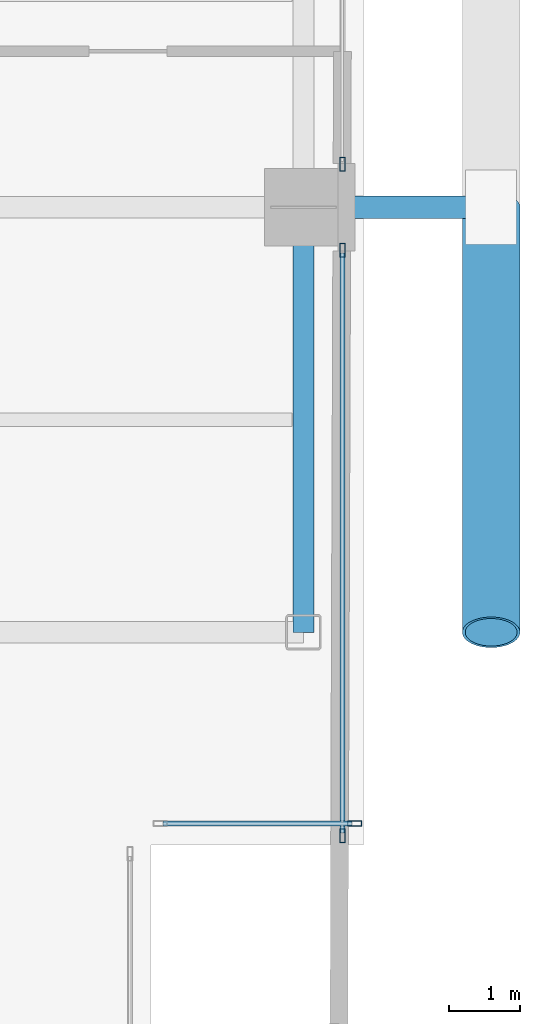
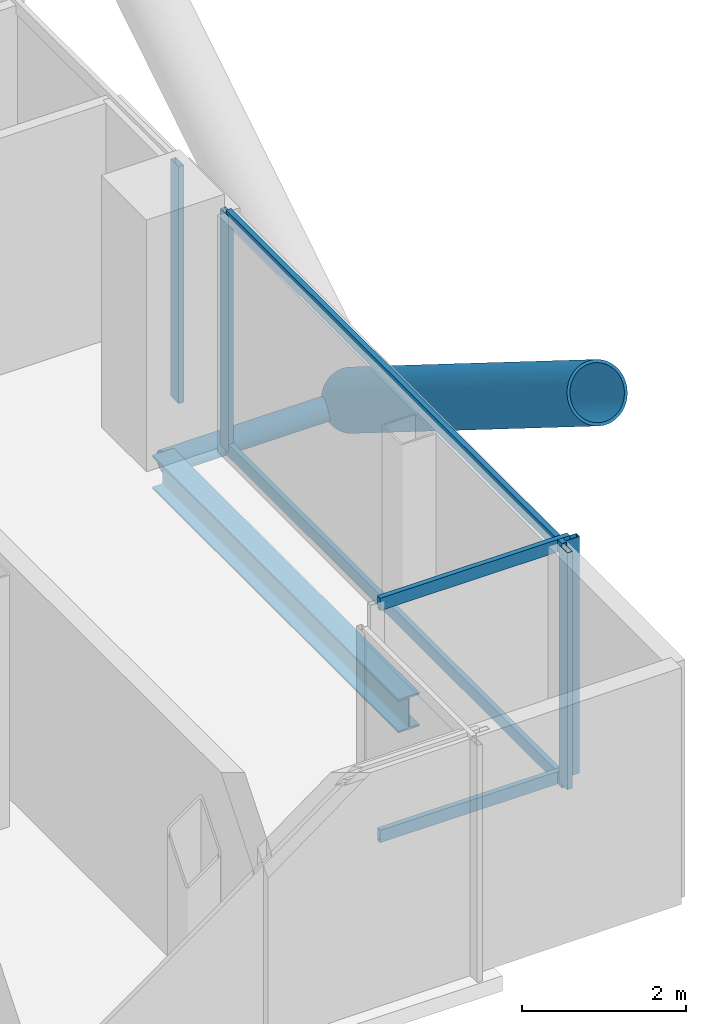
# One storey, part 11 of 24: 10 members, 1 beam, 3 elements without a shape of their own.
"""IFC4 building model written with IfcOpenShell, lengths in metres."""

from ifc_helpers import new_model, si_unit, direction, frame, origin, origin_2d, place, context, subcontext, project, spatial, hollow_rectangle, hollow_circle, i_section, extrude, material, layer, layer_set, material_profile, profile_set, type_object, element, aggregate, save


model = new_model("IFC4")

# Units and contexts
model_context = context("Model", 3, precision=1e-05, world=origin(), true_north=direction((0.0, 1.0)))
body_context = subcontext(model_context, "Body", "Model", "MODEL_VIEW")
ifc_project = project(units=[si_unit("LENGTHUNIT", "METRE"), si_unit("AREAUNIT", "SQUARE_METRE"), si_unit("VOLUMEUNIT", "CUBIC_METRE"), si_unit("PLANEANGLEUNIT", "RADIAN"), si_unit("MASSUNIT", "GRAM", prefix="KILO"), si_unit("THERMODYNAMICTEMPERATUREUNIT", "KELVIN"), si_unit("POWERUNIT", "WATT")], contexts=[model_context])

# Site, building, storey
site_placement = place(None, origin())
site = spatial("IfcSite", under=ifc_project, at=site_placement, CompositionType="ELEMENT")
building_placement = place(site_placement, origin())
building = spatial("IfcBuilding", under=site, at=building_placement, Name="Svarakhadi Broadcast Tower", CompositionType="ELEMENT")
storey_placement = place(building_placement, frame((0.0, 0.0, 130.64990234375)))
storey = spatial("IfcBuildingStorey", under=building, at=storey_placement, Name="L31", CompositionType="ELEMENT", Elevation=130.64990234375)

# Curtain wall, member
ifc_material_1 = material(Name="Anodised Bronze Aluminium AA 6063-T6", Category="aluminium")
ifc_layer = layer(ifc_material_1, 0.199951171875)
ifc_layer_set = layer_set([ifc_layer], Name="Anodised Bronze Aluminium AA 6063-T6")
curtain_wall_type = type_object("IfcCurtainWallType", Name="CW_Sys_03", PredefinedType="NOTDEFINED", material=ifc_layer_set)
curtain_wall_1_placement = place(storey_placement, origin())
curtain_wall_1 = element("IfcCurtainWall", 1, at=curtain_wall_1_placement, inside=storey, type_object=curtain_wall_type, Name="L31 Unitised Facade Curtain Wall 13 Bay 1", PredefinedType="NOTDEFINED")
ifc_material_profile_1 = material_profile(ifc_material_1, hollow_rectangle(XDim=0.074951171875, YDim=0.199951171875, WallThickness=0.005615234375, at=origin_2d()), Name="ALU MULLION 200x75x6")
ifc_profile_set_1 = profile_set([ifc_material_profile_1], Name="Anodised Bronze Aluminium AA 6063-T6")
member_type_1 = type_object("IfcMemberType", Name="CW_Sys_03_Mul", PredefinedType="MULLION", material=ifc_profile_set_1)
member_1_placement = place(storey_placement, frame((47.699951171875, 12.607421875, 0.0), z_axis=(0.0, 0.0, 1.0), x_axis=(1.0, 0.0, 0.0)))
member_1 = element("IfcMember", 2, at=member_1_placement, type_object=member_type_1, Name="CW-03 mullion 2", PredefinedType="MULLION", context=body_context, shape_type="SweptSolid", body=[
    extrude(hollow_rectangle(XDim=0.074951171875, YDim=0.199951171875, WallThickness=0.005615234375, at=origin_2d()), origin(), (0.0, 0.0, 1.0), 3.525146484375),
])
aggregate(curtain_wall_1, [member_1])

# Curtain wall, members
curtain_wall_2_placement = place(storey_placement, origin())
curtain_wall_2 = element("IfcCurtainWall", 3, at=curtain_wall_2_placement, inside=storey, type_object=curtain_wall_type, Name="L31 Unitised Facade Curtain Wall 13 Bay 2", PredefinedType="NOTDEFINED")
member_2_placement = place(storey_placement, frame((47.699951171875, 11.392578125, 0.0), z_axis=(0.0, 0.0, 1.0), x_axis=(1.0, 0.0, 0.0)))
member_2 = element("IfcMember", 4, at=member_2_placement, type_object=member_type_1, Name="CW-03 mullion 1", PredefinedType="MULLION", context=body_context, shape_type="SweptSolid", body=[
    extrude(hollow_rectangle(XDim=0.074951171875, YDim=0.199951171875, WallThickness=0.005615234375, at=origin_2d()), origin(), (0.0, 0.0, 1.0), 3.525146484375),
])
member_3_placement = place(storey_placement, frame((47.699951171875, 3.12744140625, 0.0), z_axis=(0.0, 0.0, 1.0), x_axis=(1.0, 0.0, 0.0)))
member_3 = element("IfcMember", 5, at=member_3_placement, type_object=member_type_1, Name="CW-03 mullion 2", PredefinedType="MULLION", context=body_context, shape_type="SweptSolid", body=[
    extrude(hollow_rectangle(XDim=0.074951171875, YDim=0.199951171875, WallThickness=0.005615234375, at=origin_2d()), origin(), (0.0, 0.0, 1.0), 3.525146484375),
])

# Curtain wall, member
curtain_wall_3_placement = place(storey_placement, origin())
curtain_wall_3 = element("IfcCurtainWall", 6, at=curtain_wall_3_placement, inside=storey, type_object=curtain_wall_type, Name="L31 Unitised Facade Curtain Wall 14", PredefinedType="NOTDEFINED")
member_4_placement = place(storey_placement, frame((47.87255859375, 3.300048828125, 0.0), z_axis=(0.0, 0.0, 1.0), x_axis=(0.0, -1.0, 0.0)))
member_4 = element("IfcMember", 7, at=member_4_placement, type_object=member_type_1, Name="CW-03 mullion 1", PredefinedType="MULLION", context=body_context, shape_type="SweptSolid", body=[
    extrude(hollow_rectangle(XDim=0.074951171875, YDim=0.199951171875, WallThickness=0.005615234375, at=origin_2d()), origin(), (0.0, 0.0, 1.0), 3.525146484375),
])

# Member
ifc_material_profile_2 = material_profile(ifc_material_1, hollow_rectangle(XDim=0.070068359375, YDim=0.18505859375, WallThickness=0.0048828125, at=origin_2d()), Name="ALU TRANSOM 185x70x5")
ifc_profile_set_2 = profile_set([ifc_material_profile_2], Name="Anodised Bronze Aluminium AA 6063-T6")
member_type_2 = type_object("IfcMemberType", Name="CW_Sys_03_Trn", PredefinedType="USERDEFINED", material=ifc_profile_set_2)
member_5_placement = place(storey_placement, frame((47.699951171875, 11.35498046875, 0.03515625), z_axis=(0.0, -1.0, 0.0), x_axis=(1.0, 0.0, 0.0)))
member_5 = element("IfcMember", 8, at=member_5_placement, type_object=member_type_2, Name="CW-03 transom 1.1", ObjectType="TRANSOM", PredefinedType="USERDEFINED", context=body_context, shape_type="SweptSolid", body=[
    extrude(hollow_rectangle(XDim=0.070068359375, YDim=0.18505859375, WallThickness=0.0048828125, at=origin_2d()), origin(), (0.0, 0.0, 1.0), 8.18994140625),
])

member_6_placement = place(storey_placement, frame((47.699951171875, 11.35498046875, 3.489990234375), z_axis=(0.0, -1.0, 0.0), x_axis=(1.0, 0.0, 0.0)))
member_6 = element("IfcMember", 9, at=member_6_placement, type_object=member_type_2, Name="CW-03 transom 1.2", ObjectType="TRANSOM", PredefinedType="USERDEFINED", context=body_context, shape_type="SweptSolid", body=[
    extrude(hollow_rectangle(XDim=0.070068359375, YDim=0.18505859375, WallThickness=0.0048828125, at=origin_2d()), origin(), (0.0, 0.0, 1.0), 8.18994140625),
])

aggregate(curtain_wall_2, [member_2, member_3, member_5, member_6])

member_7_placement = place(storey_placement, frame((47.8349609375, 3.300048828125, 0.03515625), z_axis=(-1.0, 0.0, 0.0), x_axis=(0.0, -1.0, 0.0)))
member_7 = element("IfcMember", 10, at=member_7_placement, type_object=member_type_2, Name="CW-03 transom 1.1", ObjectType="TRANSOM", PredefinedType="USERDEFINED", context=body_context, shape_type="SweptSolid", body=[
    extrude(hollow_rectangle(XDim=0.070068359375, YDim=0.18505859375, WallThickness=0.0048828125, at=origin_2d()), origin(), (0.0, 0.0, 1.0), 2.669921875),
])

member_8_placement = place(storey_placement, frame((47.8349609375, 3.300048828125, 3.489990234375), z_axis=(-1.0, 0.0, 0.0), x_axis=(0.0, -1.0, 0.0)))
member_8 = element("IfcMember", 11, at=member_8_placement, type_object=member_type_2, Name="CW-03 transom 1.2", ObjectType="TRANSOM", PredefinedType="USERDEFINED", context=body_context, shape_type="SweptSolid", body=[
    extrude(hollow_rectangle(XDim=0.070068359375, YDim=0.18505859375, WallThickness=0.0048828125, at=origin_2d()), origin(), (0.0, 0.0, 1.0), 2.669921875),
])

aggregate(curtain_wall_3, [member_4, member_7, member_8])

# Members
ifc_material_2 = material(Name="Steel S460ML (IS 2062 E450BR)", Category="steel")
ifc_material_profile_3 = material_profile(ifc_material_2, hollow_circle(Radius=0.406494140625, WallThickness=0.0400390625, at=origin_2d()), Name="CHS 813x40")
ifc_profile_set_3 = profile_set([ifc_material_profile_3], Name="Steel S460ML (IS 2062 E450BR)")
member_type_3 = type_object("IfcMemberType", Name="Exo_Brace_CHS813", PredefinedType="BRACE", material=ifc_profile_set_3)
member_9_placement = place(storey_placement, frame((49.800048828125, 12.0, -0.386962890625), z_axis=(0.0, -0.847998304005, 0.529998940003), x_axis=(1.0, 0.0, 0.0)))
element("IfcMember", 12, at=member_9_placement, inside=storey, type_object=member_type_3, Name="L31 Exposed Bronze Exoskeleton Diagonal E06", PredefinedType="BRACE", context=body_context, shape_type="SweptSolid", body=[
    extrude(hollow_circle(Radius=0.406494140625, WallThickness=0.0400390625, at=origin_2d()), origin(), (0.0, 0.0, 1.0), 7.075439453125),
])
ifc_material_profile_4 = material_profile(ifc_material_2, hollow_circle(Radius=0.161865234375, WallThickness=0.01611328125, at=origin_2d()), Name="CHS 323.9x16")
ifc_profile_set_4 = profile_set([ifc_material_profile_4], Name="Steel S460ML (IS 2062 E450BR)")
member_type_4 = type_object("IfcMemberType", Name="Exo_Radial_Strut_Z2", PredefinedType="STRUT", material=ifc_profile_set_4)
member_10_placement = place(storey_placement, frame((49.800048828125, 12.0, -0.386962890625), z_axis=(-1.0, 0.0, 0.0), x_axis=(0.0, -1.0, 0.0)))
element("IfcMember", 13, at=member_10_placement, inside=storey, type_object=member_type_4, Name="L31 Exoskeleton Radial Tie Strut E05", PredefinedType="STRUT", context=body_context, shape_type="SweptSolid", body=[
    extrude(hollow_circle(Radius=0.161865234375, WallThickness=0.01611328125, at=origin_2d()), origin(), (0.0, 0.0, 1.0), 2.650146484375),
])

# Beam
ifc_material_3 = material(Name="Steel S355J2 (IS 2062 E350C)", Category="steel")
ifc_material_profile_5 = material_profile(ifc_material_3, i_section(OverallWidth=0.300048828125, OverallDepth=0.5, WebThickness=0.014404296875, FlangeThickness=0.028076171875, FilletRadius=0.027099609375, at=origin_2d()), Name="WPB 500x300x187")
ifc_profile_set_5 = profile_set([ifc_material_profile_5], Name="Steel S355J2 (IS 2062 E350C)")
beam_type = type_object("IfcBeamType", Name="Girder_WPB500", PredefinedType="USERDEFINED", material=ifc_profile_set_5)
beam_placement = place(storey_placement, frame((47.14990234375, 6.0, -0.474853515625), z_axis=(0.0, 1.0, 0.0), x_axis=(-1.0, 0.0, 0.0)))
element("IfcBeam", 14, at=beam_placement, inside=storey, type_object=beam_type, Name="L31 Primary N-S Girder G073", ObjectType="GIRDER", PredefinedType="USERDEFINED", context=body_context, shape_type="SweptSolid", body=[
    extrude(i_section(OverallWidth=0.300048828125, OverallDepth=0.5, WebThickness=0.014404296875, FlangeThickness=0.028076171875, FilletRadius=0.027099609375, at=origin_2d()), origin(), (0.0, 0.0, 1.0), 6.0),
])

save(model, "model.ifc")
